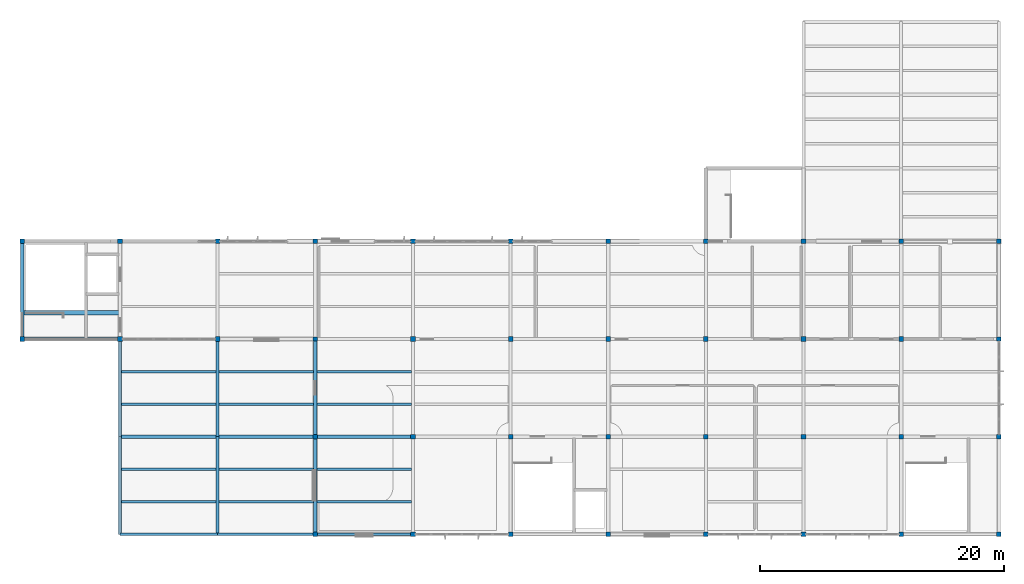
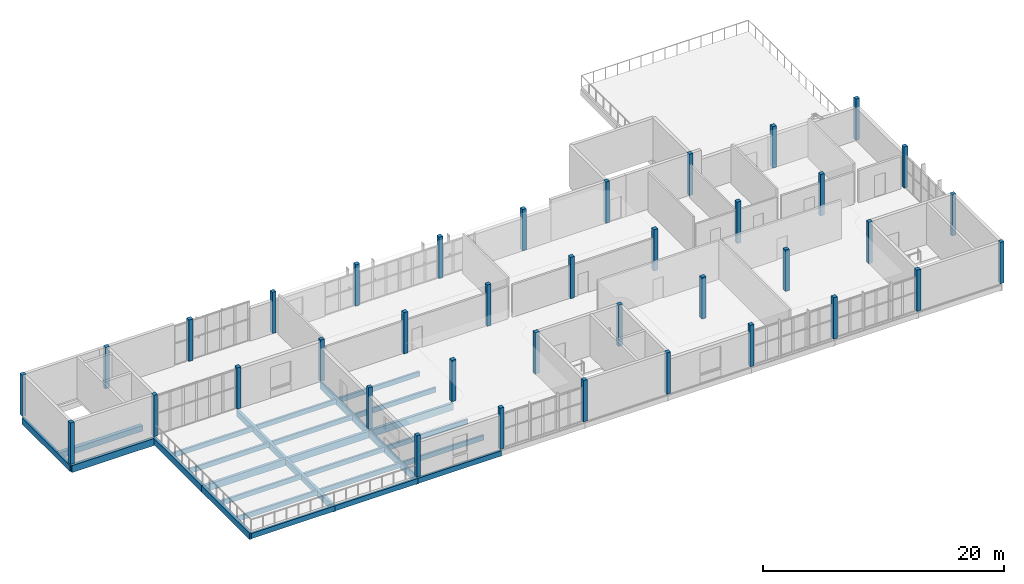
# One storey, part 1 of 15: 38 columns, 27 beams.
"""IFC4 building model written with IfcOpenShell, lengths in metres."""

import ifcopenshell
import ifcopenshell.guid

model = None  # the IFC model being written
_history = None  # IfcOwnerHistory: only IFC2X3 demands one
_inside = {}  # id of a spatial element -> (the spatial element, [elements in it])
_under = {}  # id of a project, library or spatial element -> (it, [spatial elements below it])
_declared = {}  # id of a project -> (the project, [libraries it declares])
_typed = {}  # id of a type object -> (the type object, [elements of that type])
_made_of = {}  # id of a material, layer set ... -> (it, [elements and type objects made of it])


def new_model(schema):
    """Start an empty IFC model of exactly this schema.

    Asked for "IFC4X3", IfcOpenShell would pick the latest addendum, in which some entities
    have other attributes; the version numbers below select the first issue.
    IFC2X3 requires an IfcOwnerHistory on every rooted entity: one is made here for all.
    """
    global model, _history
    if schema == "IFC4X3":
        model = ifcopenshell.file(schema_version=(4, 3, 0, 0))
    else:
        model = ifcopenshell.file(schema=schema)
    _inside.clear()
    _under.clear()
    _declared.clear()
    _typed.clear()
    _made_of.clear()
    _history = None
    if model.schema == "IFC2X3":
        org = make("IfcOrganization", Name="unknown")
        user = make(
            "IfcPersonAndOrganization",
            ThePerson=make("IfcPerson", FamilyName="unknown"),
            TheOrganization=org,
        )
        app = make(
            "IfcApplication",
            ApplicationDeveloper=org,
            Version="unknown",
            ApplicationFullName="unknown",
            ApplicationIdentifier="unknown",
        )
        _history = make(
            "IfcOwnerHistory",
            OwningUser=user,
            OwningApplication=app,
            ChangeAction="ADDED",
            CreationDate=0,
        )
    return model


def make(cls, **values):
    """One entity of the class cls with the attributes given. An attribute that is None is left unset."""
    return model.create_entity(
        cls, **{name: value for name, value in values.items() if value is not None}
    )


def rooted(cls, **values):
    """An entity with a GlobalId (a new one), such as an element, a storey or a relation."""
    return make(cls, GlobalId=ifcopenshell.guid.new(), OwnerHistory=_history, **values)


def si_unit(unit_type, name, prefix=None):
    """IfcSIUnit, for example si_unit("LENGTHUNIT", "METRE", prefix="MILLI")."""
    return make("IfcSIUnit", UnitType=unit_type, Prefix=prefix, Name=name)


def assignment(units):
    """IfcUnitAssignment: the units of a project."""
    return None if units is None else make("IfcUnitAssignment", Units=units)


def point(xyz):
    """IfcCartesianPoint."""
    return None if xyz is None else make("IfcCartesianPoint", Coordinates=xyz)


def direction(xyz):
    """IfcDirection."""
    return None if xyz is None else make("IfcDirection", DirectionRatios=xyz)


def frame(location, z_axis=None, x_axis=None):
    """IfcAxis2Placement3D, a coordinate frame: its origin and axes. An axis left out is left unset."""
    return make(
        "IfcAxis2Placement3D",
        Location=point(location),
        Axis=direction(z_axis),
        RefDirection=direction(x_axis),
    )


def frame_2d(location, x_axis=None):
    """IfcAxis2Placement2D, a coordinate frame in the plane: its origin and x axis."""
    return make(
        "IfcAxis2Placement2D", Location=point(location), RefDirection=direction(x_axis)
    )


def origin():
    """The frame at (0, 0, 0) with its axes left unset."""
    return frame((0.0, 0.0, 0.0))


def origin_2d():
    """The frame at (0, 0) in the plane with its x axis left unset."""
    return frame_2d((0.0, 0.0))


def place(relative_to, where):
    """IfcLocalPlacement: puts the frame where relative to a parent placement (None: the world)."""
    return make(
        "IfcLocalPlacement", PlacementRelTo=relative_to, RelativePlacement=where
    )


def context(
    kind, dimensions, precision=None, world=None, true_north=None, identifier=None
):
    """IfcGeometricRepresentationContext, for example the 3D "Model" context."""
    return make(
        "IfcGeometricRepresentationContext",
        ContextIdentifier=identifier,
        ContextType=kind,
        CoordinateSpaceDimension=dimensions,
        Precision=precision,
        WorldCoordinateSystem=world,
        TrueNorth=true_north,
    )


def subcontext(parent, identifier, kind, view, scale=None):
    """IfcGeometricRepresentationSubContext, for example "Body" below "Model"."""
    return make(
        "IfcGeometricRepresentationSubContext",
        ContextIdentifier=identifier,
        ContextType=kind,
        ParentContext=parent,
        TargetScale=scale,
        TargetView=view,
    )


def project(units=None, contexts=None):
    """IfcProject with its units and contexts."""
    return rooted(
        "IfcProject",
        Name="project",
        RepresentationContexts=contexts,
        UnitsInContext=assignment(units),
    )


def spatial(cls, under=None, at=None, **own):
    """A site, building, storey or space (cls), placed at a placement, below another one or the project."""
    s = rooted(cls, ObjectPlacement=at, **own)
    if under is not None:
        _under.setdefault(under.id(), (under, []))[1].append(s)
    return s


def profile(cls, at=None, kind="AREA", **sizes):
    """A parametric profile (cls). Its sizes go by their IFC names, for example OverallWidth=200.0."""
    return make(cls, ProfileType=kind, Position=at, **sizes)


def rectangle(**sizes):
    """IfcRectangleProfileDef."""
    return profile("IfcRectangleProfileDef", **sizes)


def extrude(swept, where, along, depth):
    """IfcExtrudedAreaSolid: the profile swept, set in the frame where, extruded along a direction by depth."""
    return make(
        "IfcExtrudedAreaSolid",
        SweptArea=swept,
        Position=where,
        ExtrudedDirection=direction(along),
        Depth=depth,
    )


def shape(context_of_items, identifier, shape_type, items):
    """IfcShapeRepresentation: the items that make up one representation, for example the "Body"."""
    return make(
        "IfcShapeRepresentation",
        ContextOfItems=context_of_items,
        RepresentationIdentifier=identifier,
        RepresentationType=shape_type,
        Items=items,
    )


def material(Name=None, Category=None):
    """IfcMaterial."""
    return make("IfcMaterial", Name=Name, Category=Category)


def material_profile(
    of_material, cross_section, Name=None, Category=None, Priority=None
):
    """IfcMaterialProfile: a cross section and its material."""
    return make(
        "IfcMaterialProfile",
        Name=Name,
        Material=of_material,
        Profile=cross_section,
        Priority=Priority,
        Category=Category,
    )


def profile_set(profiles, Name=None, composite=None):
    """IfcMaterialProfileSet."""
    return make(
        "IfcMaterialProfileSet",
        Name=Name,
        MaterialProfiles=profiles,
        CompositeProfile=composite,
    )


def made_of(thing, what):
    """Note that an element or type object is made of a material, layer set ...; save() writes the relation."""
    if what is not None:
        _made_of.setdefault(what.id(), (what, []))[1].append(thing)
    return thing


def type_object(cls, material=None, **own):
    """A type object (cls), such as IfcWallType, which elements share."""
    return made_of(rooted(cls, **own), material)


def element(
    cls,
    number,
    at=None,
    inside=None,
    cuts=None,
    type_object=None,
    material=None,
    context=None,
    identifier="Body",
    shape_type=None,
    held_by="IfcProductDefinitionShape",
    body=None,
    shapes=None,
    **own,
):
    """One element of the class cls, such as IfcWall. Its Tag is "e" and its number.

    at: its placement. inside: the storey or other place that contains it. cuts: it is an
    opening in that element (IfcRelVoidsElement). A single representation is given by context,
    identifier, shape_type and body (its items); several are given by shapes. held_by: the class
    of the entity that holds the representations. save() writes the other relations.
    """
    e = rooted(cls, Tag="e%d" % number, ObjectPlacement=at, **own)
    if body is not None:
        shapes = [shape(context, identifier, shape_type, body)]
    if shapes is not None:
        e.Representation = make(held_by, Representations=shapes)
    if inside is not None:
        _inside.setdefault(inside.id(), (inside, []))[1].append(e)
    if cuts is not None:
        rooted(
            "IfcRelVoidsElement", RelatingBuildingElement=cuts, RelatedOpeningElement=e
        )
    if type_object is not None:
        _typed.setdefault(type_object.id(), (type_object, []))[1].append(e)
    return made_of(e, material)


def aggregate(whole, parts):
    """IfcRelAggregates: a whole, such as a stair, and the parts it consists of."""
    return rooted("IfcRelAggregates", RelatingObject=whole, RelatedObjects=parts)


def save(model, path):
    """Write the relations noted so far, then the file.

    IfcRelAggregates (storeys below a building ...), IfcRelContainedInSpatialStructure (elements
    in a storey), IfcRelDefinesByType, IfcRelAssociatesMaterial and IfcRelDeclares: one each for
    every whole, place, type object, material and project.
    """
    for whole, parts in _under.values():
        aggregate(whole, parts)
    for where, things in _inside.values():
        rooted(
            "IfcRelContainedInSpatialStructure",
            RelatedElements=things,
            RelatingStructure=where,
        )
    for kind, things in _typed.values():
        rooted("IfcRelDefinesByType", RelatedObjects=things, RelatingType=kind)
    for what, things in _made_of.values():
        rooted("IfcRelAssociatesMaterial", RelatedObjects=things, RelatingMaterial=what)
    for by, libraries in _declared.values():
        rooted("IfcRelDeclares", RelatingContext=by, RelatedDefinitions=libraries)
    model.write(path)


model = new_model("IFC4")

# Units and contexts
model_context = context("Model", 3, precision=1e-05, world=origin(), true_north=direction((0.0, 1.0)))
body_context = subcontext(model_context, "Body", "Model", "MODEL_VIEW")
ifc_project = project(units=[si_unit("LENGTHUNIT", "METRE"), si_unit("AREAUNIT", "SQUARE_METRE"), si_unit("VOLUMEUNIT", "CUBIC_METRE"), si_unit("PLANEANGLEUNIT", "RADIAN"), si_unit("MASSUNIT", "GRAM", prefix="KILO")], contexts=[model_context])

# Site, building, storey
site_placement = place(None, origin())
site = spatial("IfcSite", under=ifc_project, at=site_placement, CompositionType="ELEMENT")
building_placement = place(site_placement, origin())
building = spatial("IfcBuilding", under=site, at=building_placement, Name="Solvane Community Centre", CompositionType="ELEMENT")
storey_placement = place(building_placement, frame((0.0, 0.0, 18.0)))
storey = spatial("IfcBuildingStorey", under=building, at=storey_placement, Name="L04", CompositionType="ELEMENT", Elevation=18.0)

# Columns
ifc_material_1 = material(Name="Glulam GL32h", Category="wood")
ifc_material_profile_1 = material_profile(ifc_material_1, rectangle(XDim=0.3798828125, YDim=0.3798828125, at=origin_2d()), Name="GL32h 380x380")
ifc_profile_set_1 = profile_set([ifc_material_profile_1], Name="Glulam GL32h")
column_type_1 = type_object("IfcColumnType", Name="Glulam Belvedere Column 380x380", PredefinedType="COLUMN", material=ifc_profile_set_1)
for number, where, z_axis, x_axis, name in (
    (1, (60.0, 22.0, 0.0), (0.0, 0.0, 1.0), (1.0, 0.0, 0.0), "Column COL-L04-10-C"),
    (2, (60.0, 30.0, 0.0), (0.0, 0.0, 1.0), (1.0, 0.0, 0.0), "Column COL-L04-10-D"),
    (3, (68.0, 22.0, 0.0), (0.0, 0.0, 1.0), (1.0, 0.0, 0.0), "Column COL-L04-11-C"),
    (4, (68.0, 30.0, 0.0), (0.0, 0.0, 1.0), (1.0, 0.0, 0.0), "Column COL-L04-11-D"),
    (5, (76.0, 22.0, 0.0), (0.0, 0.0, 1.0), (1.0, 0.0, 0.0), "Column COL-L04-12-C"),
    (6, (76.0, 30.0, 0.0), (0.0, 0.0, 1.0), (1.0, 0.0, 0.0), "Column COL-L04-12-D"),
    (7, (92.0, 6.0, 0.0), (0.0, 0.0, 1.0), (1.0, 0.0, 0.0), "Column COL-L04-14-A"),
    (8, (92.0, 14.0, 0.0), (0.0, 0.0, 1.0), (1.0, 0.0, 0.0), "Column COL-L04-14-B"),
    (9, (92.0, 22.0, 0.0), (0.0, 0.0, 1.0), (1.0, 0.0, 0.0), "Column COL-L04-14-C"),
    (10, (92.0, 30.0, 0.0), (0.0, 0.0, 1.0), (1.0, 0.0, 0.0), "Column COL-L04-14-D"),
    (11, (100.0, 6.0, 0.0), (0.0, 0.0, 1.0), (1.0, 0.0, 0.0), "Column COL-L04-15-A"),
    (12, (100.0, 14.0, 0.0), (0.0, 0.0, 1.0), (1.0, 0.0, 0.0), "Column COL-L04-15-B"),
    (13, (100.0, 22.0, 0.0), (0.0, 0.0, 1.0), (1.0, 0.0, 0.0), "Column COL-L04-15-C"),
    (14, (100.0, 30.0, 0.0), (0.0, 0.0, 1.0), (1.0, 0.0, 0.0), "Column COL-L04-15-D"),
    (15, (108.0, 6.0, 0.0), (0.0, 0.0, 1.0), (1.0, 0.0, 0.0), "Column COL-L04-16-A"),
    (16, (108.0, 14.0, 0.0), (0.0, 0.0, 1.0), (1.0, 0.0, 0.0), "Column COL-L04-16-B"),
    (17, (108.0, 22.0, 0.0), (0.0, 0.0, 1.0), (1.0, 0.0, 0.0), "Column COL-L04-16-C"),
    (18, (108.0, 30.0, 0.0), (0.0, 0.0, 1.0), (1.0, 0.0, 0.0), "Column COL-L04-16-D"),
    (19, (116.0, 6.0, 0.0), (0.0, 0.0, 1.0), (1.0, 0.0, 0.0), "Column COL-L04-17-A"),
    (20, (116.0, 14.0, 0.0), (0.0, 0.0, 1.0), (1.0, 0.0, 0.0), "Column COL-L04-17-B"),
    (21, (116.0, 22.0, 0.0), (0.0, 0.0, 1.0), (1.0, 0.0, 0.0), "Column COL-L04-17-C"),
    (22, (116.0, 30.0, 0.0), (0.0, 0.0, 1.0), (1.0, 0.0, 0.0), "Column COL-L04-17-D"),
    (23, (124.0, 6.0, 0.0), (0.0, 0.0, 1.0), (1.0, 0.0, 0.0), "Column COL-L04-18-A"),
    (24, (124.0, 14.0, 0.0), (0.0, 0.0, 1.0), (1.0, 0.0, 0.0), "Column COL-L04-18-B"),
    (25, (124.0, 22.0, 0.0), (0.0, 0.0, 1.0), (1.0, 0.0, 0.0), "Column COL-L04-18-C"),
    (26, (124.0, 30.0, 0.0), (0.0, 0.0, 1.0), (1.0, 0.0, 0.0), "Column COL-L04-18-D"),
    (27, (132.0, 6.0, 0.0), (0.0, 0.0, 1.0), (1.0, 0.0, 0.0), "Column COL-L04-19-A"),
    (28, (132.0, 14.0, 0.0), (0.0, 0.0, 1.0), (1.0, 0.0, 0.0), "Column COL-L04-19-B"),
    (29, (132.0, 22.0, 0.0), (0.0, 0.0, 1.0), (1.0, 0.0, 0.0), "Column COL-L04-19-C"),
    (30, (132.0, 30.0, 0.0), (0.0, 0.0, 1.0), (1.0, 0.0, 0.0), "Column COL-L04-19-D"),
):
    element("IfcColumn", number, at=place(storey_placement, frame(where, z_axis=z_axis, x_axis=x_axis)), inside=storey, type_object=column_type_1, Name=name, PredefinedType="COLUMN", context=body_context, shape_type="SweptSolid", body=[
        extrude(rectangle(XDim=0.3798828125, YDim=0.3798828125, at=origin_2d()), origin(), (0.0, 0.0, 1.0), 4.199951171875),
    ])
ifc_material_profile_2 = material_profile(ifc_material_1, rectangle(XDim=0.360107421875, YDim=0.360107421875, at=origin_2d()), Name="GL32h 360x360")
ifc_profile_set_2 = profile_set([ifc_material_profile_2], Name="Glulam GL32h")
column_type_2 = type_object("IfcColumnType", Name="Glulam Column 360x360", PredefinedType="COLUMN", material=ifc_profile_set_2)
for number, where, z_axis, x_axis, name in (
    (31, (84.0, 6.0, 0.0), (0.0, 0.0, 1.0), (1.0, 0.0, 0.0), "Column COL-L04-13-A"),
    (32, (84.0, 14.0, 0.0), (0.0, 0.0, 1.0), (1.0, 0.0, 0.0), "Column COL-L04-13-B"),
    (33, (84.0, 22.0, 0.0), (0.0, 0.0, 1.0), (1.0, 0.0, 0.0), "Column COL-L04-13-C"),
    (34, (84.0, 30.0, 0.0), (0.0, 0.0, 1.0), (1.0, 0.0, 0.0), "Column COL-L04-13-D"),
    (35, (140.0, 6.0, 0.0), (0.0, 0.0, 1.0), (1.0, 0.0, 0.0), "Column COL-L04-20-A"),
    (36, (140.0, 14.0, 0.0), (0.0, 0.0, 1.0), (1.0, 0.0, 0.0), "Column COL-L04-20-B"),
    (37, (140.0, 22.0, 0.0), (0.0, 0.0, 1.0), (1.0, 0.0, 0.0), "Column COL-L04-20-C"),
    (38, (140.0, 30.0, 0.0), (0.0, 0.0, 1.0), (1.0, 0.0, 0.0), "Column COL-L04-20-D"),
):
    element("IfcColumn", number, at=place(storey_placement, frame(where, z_axis=z_axis, x_axis=x_axis)), inside=storey, type_object=column_type_2, Name=name, PredefinedType="COLUMN", context=body_context, shape_type="SweptSolid", body=[
        extrude(rectangle(XDim=0.360107421875, YDim=0.360107421875, at=origin_2d()), origin(), (0.0, 0.0, 1.0), 4.199951171875),
    ])

# Beams
ifc_material_2 = material(Name="Glulam GL28h", Category="wood")
ifc_material_profile_3 = material_profile(ifc_material_2, rectangle(XDim=0.27001953125, YDim=0.699951171875, at=origin_2d()), Name="GL28h 270x700")
ifc_profile_set_3 = profile_set([ifc_material_profile_3], Name="Glulam GL28h")
beam_type_1 = type_object("IfcBeamType", Name="Glulam Library Girder 270x700", PredefinedType="USERDEFINED", material=ifc_profile_set_3)
for number, where, z_axis, x_axis, name in (
    (39, (68.0, 14.0, -0.570068359375), (1.0, 0.0, 0.0), (0.0, 1.0, 0.0), "Beam BM-L04-680_140-760_140"),
    (40, (76.0, 14.0, -0.570068359375), (1.0, 0.0, 0.0), (0.0, 1.0, 0.0), "Beam BM-L04-760_140-840_140"),
    (41, (84.0, 14.0, -0.570068359375), (1.0, 0.0, 0.0), (0.0, 1.0, 0.0), "Beam BM-L04-840_140-920_140"),
    (42, (60.0, 22.0, -0.570068359375), (1.0, 0.0, 0.0), (0.0, 1.0, 0.0), "Beam BM-L04-600_220-680_220"),
):
    element("IfcBeam", number, at=place(storey_placement, frame(where, z_axis=z_axis, x_axis=x_axis)), inside=storey, type_object=beam_type_1, Name=name, ObjectType="GIRDER", PredefinedType="USERDEFINED", context=body_context, shape_type="SweptSolid", body=[
        extrude(rectangle(XDim=0.27001953125, YDim=0.699951171875, at=origin_2d()), origin(), (0.0, 0.0, 1.0), 8.0),
    ])
ifc_material_profile_4 = material_profile(ifc_material_2, rectangle(XDim=0.199951171875, YDim=0.47998046875, at=origin_2d()), Name="GL28h 200x480")
ifc_profile_set_4 = profile_set([ifc_material_profile_4], Name="Glulam GL28h")
beam_type_2 = type_object("IfcBeamType", Name="Glulam Medium Joist 200x480", PredefinedType="JOIST", material=ifc_profile_set_4)
for number, where, z_axis, x_axis, name in (
    (43, (68.1298828125, 8.666748046875, -0.4599609375), (1.0, 0.0, 0.0), (0.0, 1.0, 0.0), "Beam BM-L04-681_87-759_87"),
    (44, (68.1298828125, 11.333251953125, -0.4599609375), (1.0, 0.0, 0.0), (0.0, 1.0, 0.0), "Beam BM-L04-681_113-759_113"),
    (45, (68.1298828125, 16.666748046875, -0.4599609375), (1.0, 0.0, 0.0), (0.0, 1.0, 0.0), "Beam BM-L04-681_167-759_167"),
    (46, (68.1298828125, 19.333251953125, -0.4599609375), (1.0, 0.0, 0.0), (0.0, 1.0, 0.0), "Beam BM-L04-681_193-759_193"),
    (47, (76.1298828125, 8.666748046875, -0.4599609375), (1.0, 0.0, 0.0), (0.0, 1.0, 0.0), "Beam BM-L04-761_87-839_87"),
    (48, (76.1298828125, 11.333251953125, -0.4599609375), (1.0, 0.0, 0.0), (0.0, 1.0, 0.0), "Beam BM-L04-761_113-839_113"),
    (49, (76.1298828125, 16.666748046875, -0.4599609375), (1.0, 0.0, 0.0), (0.0, 1.0, 0.0), "Beam BM-L04-761_167-839_167"),
    (50, (76.1298828125, 19.333251953125, -0.4599609375), (1.0, 0.0, 0.0), (0.0, 1.0, 0.0), "Beam BM-L04-761_193-839_193"),
    (51, (84.1298828125, 8.666748046875, -0.4599609375), (1.0, 0.0, 0.0), (0.0, 1.0, 0.0), "Beam BM-L04-841_87-919_87"),
    (52, (84.1298828125, 11.333251953125, -0.4599609375), (1.0, 0.0, 0.0), (0.0, 1.0, 0.0), "Beam BM-L04-841_113-919_113"),
    (53, (84.1298828125, 16.666748046875, -0.4599609375), (1.0, 0.0, 0.0), (0.0, 1.0, 0.0), "Beam BM-L04-841_167-919_167"),
    (54, (84.1298828125, 19.333251953125, -0.4599609375), (1.0, 0.0, 0.0), (0.0, 1.0, 0.0), "Beam BM-L04-841_193-919_193"),
):
    element("IfcBeam", number, at=place(storey_placement, frame(where, z_axis=z_axis, x_axis=x_axis)), inside=storey, type_object=beam_type_2, Name=name, PredefinedType="JOIST", context=body_context, shape_type="SweptSolid", body=[
        extrude(rectangle(XDim=0.199951171875, YDim=0.47998046875, at=origin_2d()), origin(), (0.0, 0.0, 1.0), 7.740234375),
    ])
ifc_material_profile_5 = material_profile(ifc_material_2, rectangle(XDim=0.199951171875, YDim=0.52001953125, at=origin_2d()), Name="GL28h 200x520")
ifc_profile_set_5 = profile_set([ifc_material_profile_5], Name="Glulam GL28h")
beam_type_3 = type_object("IfcBeamType", Name="Glulam Spandrel Beam 200x520", PredefinedType="SPANDREL", material=ifc_profile_set_5)
for number, where, z_axis, x_axis, name in (
    (55, (68.0, 6.0, -0.47998046875), (1.0, 0.0, 0.0), (0.0, 1.0, 0.0), "Beam BM-L04-680_60-760_60"),
    (56, (76.0, 6.0, -0.47998046875), (1.0, 0.0, 0.0), (0.0, 1.0, 0.0), "Beam BM-L04-760_60-840_60"),
    (57, (84.0, 6.0, -0.47998046875), (1.0, 0.0, 0.0), (0.0, 1.0, 0.0), "Beam BM-L04-840_60-920_60"),
):
    element("IfcBeam", number, at=place(storey_placement, frame(where, z_axis=z_axis, x_axis=x_axis)), inside=storey, type_object=beam_type_3, Name=name, PredefinedType="SPANDREL", context=body_context, shape_type="SweptSolid", body=[
        extrude(rectangle(XDim=0.199951171875, YDim=0.52001953125, at=origin_2d()), origin(), (0.0, 0.0, 1.0), 8.0),
    ])
ifc_material_profile_6 = material_profile(ifc_material_2, rectangle(XDim=0.260009765625, YDim=0.639892578125, at=origin_2d()), Name="GL28h 260x640")
ifc_profile_set_6 = profile_set([ifc_material_profile_6], Name="Glulam GL28h")
beam_type_4 = type_object("IfcBeamType", Name="Glulam Studio Beam 260x640", PredefinedType="BEAM", material=ifc_profile_set_6)
for number, where, z_axis, x_axis, name in (
    (58, (60.0, 22.0, -0.5400390625), (0.0, 1.0, 0.0), (-1.0, 0.0, 0.0), "Beam BM-L04-600_220-600_300"),
    (59, (68.0, 6.0, -0.5400390625), (0.0, 1.0, 0.0), (-1.0, 0.0, 0.0), "Beam BM-L04-680_60-680_140"),
    (60, (68.0, 14.0, -0.5400390625), (0.0, 1.0, 0.0), (-1.0, 0.0, 0.0), "Beam BM-L04-680_140-680_220"),
    (61, (76.0, 6.0, -0.5400390625), (0.0, 1.0, 0.0), (-1.0, 0.0, 0.0), "Beam BM-L04-760_60-760_140"),
    (62, (76.0, 14.0, -0.5400390625), (0.0, 1.0, 0.0), (-1.0, 0.0, 0.0), "Beam BM-L04-760_140-760_220"),
    (63, (84.0, 6.0, -0.5400390625), (0.0, 1.0, 0.0), (-1.0, 0.0, 0.0), "Beam BM-L04-840_60-840_140"),
    (64, (84.0, 14.0, -0.5400390625), (0.0, 1.0, 0.0), (-1.0, 0.0, 0.0), "Beam BM-L04-840_140-840_220"),
):
    element("IfcBeam", number, at=place(storey_placement, frame(where, z_axis=z_axis, x_axis=x_axis)), inside=storey, type_object=beam_type_4, Name=name, PredefinedType="BEAM", context=body_context, shape_type="SweptSolid", body=[
        extrude(rectangle(XDim=0.260009765625, YDim=0.639892578125, at=origin_2d()), origin(), (0.0, 0.0, 1.0), 8.0),
    ])
ifc_material_3 = material(Name="Concrete C35/45", Category="concrete")
ifc_material_profile_7 = material_profile(ifc_material_3, rectangle(XDim=0.360107421875, YDim=0.56005859375, at=origin_2d()), Name="RC 360x560")
ifc_profile_set_7 = profile_set([ifc_material_profile_7], Name="Concrete C35/45")
beam_type_5 = type_object("IfcBeamType", Name="RC Terrace Joist 360x560", PredefinedType="JOIST", material=ifc_profile_set_7)
beam_placement = place(storey_placement, frame((60.0, 24.14990234375, -0.5), z_axis=(1.0, 0.0, 0.0), x_axis=(0.0, 1.0, 0.0)))
element("IfcBeam", 65, at=beam_placement, inside=storey, type_object=beam_type_5, Name="Beam BM-L04-600_242-680_242", PredefinedType="JOIST", context=body_context, shape_type="SweptSolid", body=[
    extrude(rectangle(XDim=0.360107421875, YDim=0.56005859375, at=origin_2d()), origin(), (0.0, 0.0, 1.0), 8.0),
])

save(model, "model.ifc")
